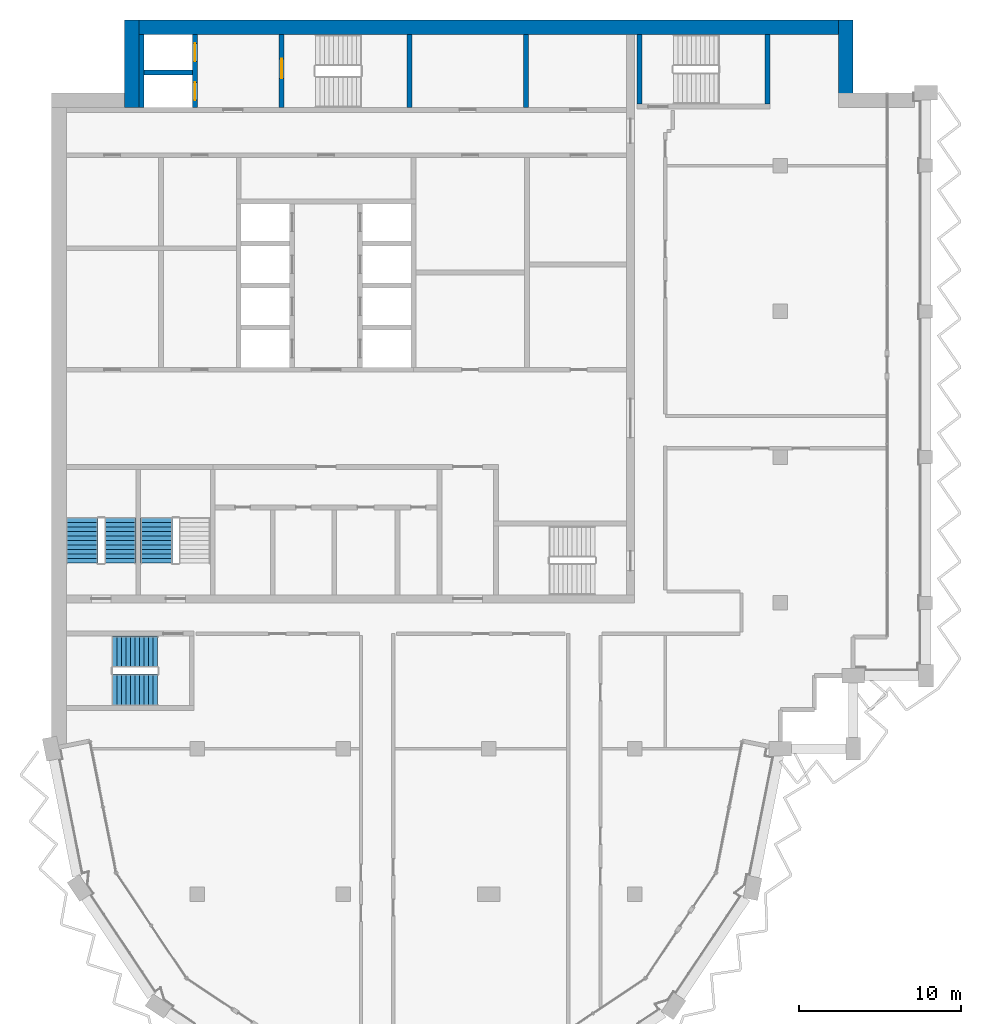
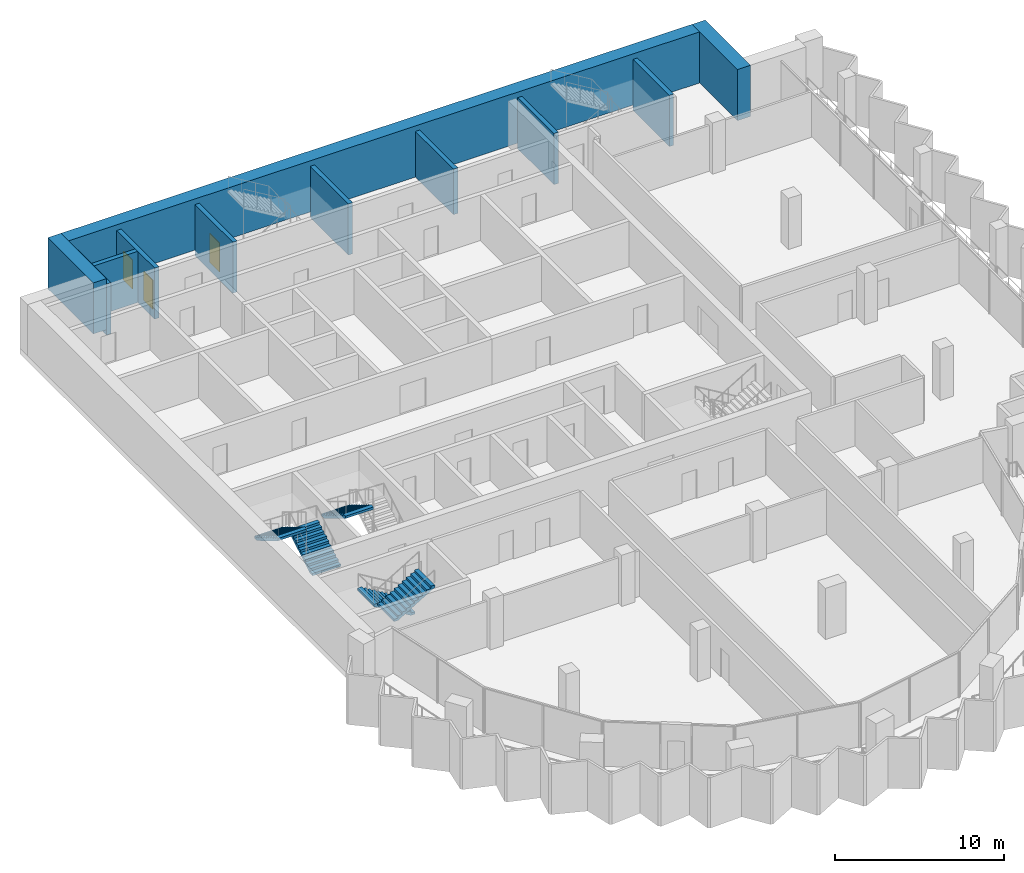
# One storey, part 10 of 14: 11 walls, 5 stair flights, 3 doors, 3 openings, 3 elements without a shape of their own.
"""IFC4 building model written with IfcOpenShell, lengths in metres."""

from ifc_helpers import new_model, si_unit, direction, frame, frame_2d, origin, place, context, subcontext, project, spatial, polyline, rectangle, outline, extrude, material, layer, layer_set, type_object, element, fill, aggregate, save


model = new_model("IFC4")

# Units and contexts
model_context = context("Model", 3, precision=1e-05, world=origin(), true_north=direction((0.0, 1.0)))
body_context = subcontext(model_context, "Body", "Model", "MODEL_VIEW")
ifc_project = project(units=[si_unit("LENGTHUNIT", "METRE"), si_unit("AREAUNIT", "SQUARE_METRE"), si_unit("VOLUMEUNIT", "CUBIC_METRE"), si_unit("PLANEANGLEUNIT", "RADIAN"), si_unit("MASSUNIT", "GRAM", prefix="KILO")], contexts=[model_context])

# Site, building, storey
site_placement = place(None, origin())
site = spatial("IfcSite", under=ifc_project, at=site_placement, CompositionType="ELEMENT")
building_placement = place(site_placement, origin())
building = spatial("IfcBuilding", under=site, at=building_placement, Name="Hunhe Ridgeline Campus", CompositionType="ELEMENT")
storey_placement = place(building_placement, frame((0.0, 0.0, 291.89990234375)))
storey = spatial("IfcBuildingStorey", under=building, at=storey_placement, Name="L75", CompositionType="ELEMENT", Elevation=291.89990234375)

# Walls
ifc_material_1 = material(Name="Masonry concrete blockwork", Category="masonry")
ifc_layer_1 = layer(ifc_material_1, 0.300048828125)
ifc_layer_set_1 = layer_set([ifc_layer_1], Name="Core room partition 300 concrete block")
wall_type_1 = type_object("IfcWallType", Name="Core room partition 300 concrete block", PredefinedType="PARTITIONING", material=ifc_layer_set_1)
wall_1_placement = place(storey_placement, frame((29.300048828125, 93.60009765625, 0.0), z_axis=(0.0, 0.0, 1.0), x_axis=(0.0, 1.0, 0.0)))
element("IfcWall", 1, at=wall_1_placement, inside=storey, type_object=wall_type_1, Name="L75 core partition 44", PredefinedType="PARTITIONING", context=body_context, shape_type="SweptSolid", body=[
    extrude(rectangle(XDim=4.5, YDim=0.300048828125, at=frame_2d((2.25, 0.0))), origin(), (0.0, 0.0, 1.0), 3.300048828125),
])
ifc_material_2 = material(Name="Concrete C50", Category="concrete")
ifc_layer_2 = layer(ifc_material_2, 0.300048828125)
ifc_layer_set_2 = layer_set([ifc_layer_2], Name="Shaft wall 300 reinforced concrete C50")
wall_type_2 = type_object("IfcWallType", Name="Shaft wall 300 reinforced concrete C50", PredefinedType="SOLIDWALL", material=ifc_layer_set_2)
wall_2_placement = place(storey_placement, frame((5.699951171875, 95.75, -0.39990234375), z_axis=(0.0, 0.0, 1.0), x_axis=(1.0, 0.0, 0.0)))
element("IfcWall", 2, at=wall_2_placement, inside=storey, type_object=wall_type_2, Name="L75 core wall 23", PredefinedType="SOLIDWALL", context=body_context, shape_type="SweptSolid", body=[
    extrude(rectangle(XDim=3.0, YDim=0.300048828125, at=frame_2d((1.5, 0.0))), origin(), (0.0, 0.0, 1.0), 3.699951171875),
])
wall_3_placement = place(storey_placement, frame((5.550048828125, 93.60009765625, -0.39990234375), z_axis=(0.0, 0.0, 1.0), x_axis=(0.0, 1.0, 0.0)))
element("IfcWall", 3, at=wall_3_placement, inside=storey, type_object=wall_type_2, Name="L75 core wall 25", PredefinedType="SOLIDWALL", context=body_context, shape_type="SweptSolid", body=[
    extrude(rectangle(XDim=4.5, YDim=0.300048828125, at=frame_2d((2.25, 0.0))), origin(), (0.0, 0.0, 1.0), 3.699951171875),
])

# Wall, openings, doors
wall_4_placement = place(storey_placement, frame((8.85009765625, 93.60009765625, -0.39990234375), z_axis=(0.0, 0.0, 1.0), x_axis=(0.0, 1.0, 0.0)))
wall_4 = element("IfcWall", 4, at=wall_4_placement, inside=storey, type_object=wall_type_2, Name="L75 core wall 28", PredefinedType="SOLIDWALL", context=body_context, shape_type="SweptSolid", body=[
    extrude(rectangle(XDim=4.5, YDim=0.300048828125, at=frame_2d((2.25, 0.0))), origin(), (0.0, 0.0, 1.0), 3.699951171875),
])
opening_1_placement = place(wall_4_placement, frame((0.449951171875, 0.0, 0.39990234375)))
opening_1 = element("IfcOpeningElement", 5, at=opening_1_placement, cuts=wall_4, Name="Opening LD-FF1", PredefinedType="OPENING", context=body_context, shape_type="SweptSolid", body=[
    extrude(rectangle(XDim=1.10009765625, YDim=2.10009765625, at=frame_2d((0.550048828125, 1.050048828125))), frame((0.0, 0.14990234375, 0.0), z_axis=(0.0, -1.0, 0.0), x_axis=(1.0, 0.0, 0.0)), (0.0, 0.0, 1.0), 0.300048828125),
])
opening_2_placement = place(wall_4_placement, frame((2.85009765625, 0.0, 0.39990234375)))
opening_2 = element("IfcOpeningElement", 6, at=opening_2_placement, cuts=wall_4, Name="Opening LD-FF2", PredefinedType="OPENING", context=body_context, shape_type="SweptSolid", body=[
    extrude(rectangle(XDim=1.10009765625, YDim=2.10009765625, at=frame_2d((0.550048828125, 1.050048828125))), frame((0.0, 0.14990234375, 0.0), z_axis=(0.0, -1.0, 0.0), x_axis=(1.0, 0.0, 0.0)), (0.0, 0.0, 1.0), 0.300048828125),
])
ifc_material_3 = material(Name="Stainless steel sliding leaves", Category="steel")
door_type_1 = type_object("IfcDoorType", Name="Landing door 1100x2100 FD120", OperationType="SLIDING_TO_LEFT", PredefinedType="DOOR", material=ifc_material_3)
door_1_placement = place(opening_1_placement, origin())
door_1 = element("IfcDoor", 7, at=door_1_placement, inside=storey, type_object=door_type_1, Name="L75 landing door FF1", OperationType="SLIDING_TO_RIGHT", OverallHeight=2.10009765625, OverallWidth=1.10009765625, PredefinedType="DOOR", context=body_context, shape_type="SweptSolid", body=[
    extrude(rectangle(XDim=1.10009765625, YDim=2.10009765625, at=frame_2d((0.550048828125, 1.050048828125))), frame((0.0, 0.02490234375, 0.0), z_axis=(0.0, -1.0, 0.0), x_axis=(1.0, 0.0, 0.0)), (0.0, 0.0, 1.0), 0.050048828125),
])
fill(opening_1, door_1)
door_2_placement = place(opening_2_placement, origin())
door_2 = element("IfcDoor", 8, at=door_2_placement, inside=storey, type_object=door_type_1, Name="L75 landing door FF2", OperationType="SLIDING_TO_LEFT", OverallHeight=2.10009765625, OverallWidth=1.10009765625, PredefinedType="DOOR", context=body_context, shape_type="SweptSolid", body=[
    extrude(rectangle(XDim=1.10009765625, YDim=2.10009765625, at=frame_2d((0.550048828125, 1.050048828125))), frame((0.0, 0.02490234375, 0.0), z_axis=(0.0, -1.0, 0.0), x_axis=(1.0, 0.0, 0.0)), (0.0, 0.0, 1.0), 0.050048828125),
])
fill(opening_2, door_2)

# Walls
ifc_layer_3 = layer(ifc_material_2, 0.89990234375)
ifc_layer_set_3 = layer_set([ifc_layer_3], Name="Spine wall 900 Concrete C50")
wall_type_3 = type_object("IfcWallType", Name="Spine wall 900 Concrete C50", PredefinedType="SHEAR", material=ifc_layer_set_3)
wall_5_placement = place(storey_placement, frame((49.050048828125, 93.60009765625, 0.0), z_axis=(0.0, 0.0, 1.0), x_axis=(0.0, 1.0, 0.0)))
element("IfcWall", 9, at=wall_5_placement, inside=storey, type_object=wall_type_3, Name="Spine wall SW4-3 L75", PredefinedType="SHEAR", context=body_context, shape_type="SweptSolid", body=[
    extrude(rectangle(XDim=5.39990234375, YDim=0.89990234375, at=frame_2d((2.699951171875, 0.0))), origin(), (0.0, 0.0, 1.0), 3.7001953125),
])
wall_6_placement = place(storey_placement, frame((49.5, 98.550048828125, 0.0), z_axis=(0.0, 0.0, 1.0), x_axis=(-1.0, 0.0, 0.0)))
element("IfcWall", 10, at=wall_6_placement, inside=storey, type_object=wall_type_3, Name="Spine wall SW4-4 L75", PredefinedType="SHEAR", context=body_context, shape_type="SweptSolid", body=[
    extrude(rectangle(XDim=45.0, YDim=0.89990234375, at=frame_2d((22.5, 0.0))), origin(), (0.0, 0.0, 1.0), 3.7001953125),
])
wall_7_placement = place(storey_placement, frame((4.949951171875, 99.0, 0.0), z_axis=(0.0, 0.0, 1.0), x_axis=(0.0, -1.0, 0.0)))
element("IfcWall", 11, at=wall_7_placement, inside=storey, type_object=wall_type_3, Name="Spine wall SW4-5 L75", PredefinedType="SHEAR", context=body_context, shape_type="SweptSolid", body=[
    extrude(rectangle(XDim=5.400146484375, YDim=0.89990234375, at=frame_2d((2.7001953125, 0.0))), origin(), (0.0, 0.0, 1.0), 3.7001953125),
])

# Wall, opening, door
ifc_layer_4 = layer(ifc_material_2, 0.300048828125)
ifc_layer_set_4 = layer_set([ifc_layer_4], Name="Stair wall 300 reinforced concrete C50")
wall_type_4 = type_object("IfcWallType", Name="Stair wall 300 reinforced concrete C50", PredefinedType="SOLIDWALL", material=ifc_layer_set_4)
wall_8_placement = place(storey_placement, frame((14.199951171875, 93.60009765625, -0.39990234375), z_axis=(0.0, 0.0, 1.0), x_axis=(0.0, 1.0, 0.0)))
wall_8 = element("IfcWall", 12, at=wall_8_placement, inside=storey, type_object=wall_type_4, Name="L75 core wall 33", PredefinedType="SOLIDWALL", context=body_context, shape_type="SweptSolid", body=[
    extrude(rectangle(XDim=4.5, YDim=0.300048828125, at=frame_2d((2.25, 0.0))), origin(), (0.0, 0.0, 1.0), 3.699951171875),
])
opening_3_placement = place(wall_8_placement, frame((1.800048828125, 0.0, 0.39990234375)))
opening_3 = element("IfcOpeningElement", 13, at=opening_3_placement, cuts=wall_8, Name="Opening CD16", PredefinedType="OPENING", context=body_context, shape_type="SweptSolid", body=[
    extrude(rectangle(XDim=1.199951171875, YDim=2.10009765625, at=frame_2d((0.60009765625, 1.050048828125))), frame((0.0, 0.14990234375, 0.0), z_axis=(0.0, -1.0, 0.0), x_axis=(1.0, 0.0, 0.0)), (0.0, 0.0, 1.0), 0.300048828125),
])
ifc_material_4 = material(Name="Hollow metal fire door leaf")
door_type_2 = type_object("IfcDoorType", Name="Stair door 1200x2100 FD60", OperationType="SINGLE_SWING_LEFT", PredefinedType="DOOR", material=ifc_material_4)
door_3_placement = place(opening_3_placement, origin())
door_3 = element("IfcDoor", 14, at=door_3_placement, inside=storey, type_object=door_type_2, Name="L75 door S1-FF", OperationType="SINGLE_SWING_RIGHT", OverallHeight=2.10009765625, OverallWidth=1.199951171875, PredefinedType="DOOR", context=body_context, shape_type="SweptSolid", body=[
    extrude(rectangle(XDim=1.199951171875, YDim=2.10009765625, at=frame_2d((0.60009765625, 1.050048828125))), frame((0.0, 0.02490234375, 0.0), z_axis=(0.0, -1.0, 0.0), x_axis=(1.0, 0.0, 0.0)), (0.0, 0.0, 1.0), 0.050048828125),
])
fill(opening_3, door_3)

# Walls
wall_9_placement = place(storey_placement, frame((22.10009765625, 93.60009765625, -0.39990234375), z_axis=(0.0, 0.0, 1.0), x_axis=(0.0, 1.0, 0.0)))
element("IfcWall", 15, at=wall_9_placement, inside=storey, type_object=wall_type_4, Name="L75 core wall 38", PredefinedType="SOLIDWALL", context=body_context, shape_type="SweptSolid", body=[
    extrude(rectangle(XDim=4.5, YDim=0.300048828125, at=frame_2d((2.25, 0.0))), origin(), (0.0, 0.0, 1.0), 3.699951171875),
])
for number, where, z_axis, x_axis, name in (
    (16, (36.300048828125, 93.800048828125, -0.39990234375), (0.0, 0.0, 1.0), (0.0, 1.0, 0.0), "L75 core wall 47"),
    (17, (44.199951171875, 93.800048828125, -0.39990234375), (0.0, 0.0, 1.0), (0.0, 1.0, 0.0), "L75 core wall 48"),
):
    element("IfcWall", number, at=place(storey_placement, frame(where, z_axis=z_axis, x_axis=x_axis)), inside=storey, type_object=wall_type_4, Name=name, PredefinedType="SOLIDWALL", context=body_context, shape_type="SweptSolid", body=[
        extrude(rectangle(XDim=4.300048828125, YDim=0.300048828125, at=frame_2d((2.14990234375, 0.0))), origin(), (0.0, 0.0, 1.0), 3.699951171875),
    ])

# Stair, stair flights
ifc_material_5 = material(Name="Concrete C40", Category="concrete")
stair_type = type_object("IfcStairType", Name="Reinforced concrete dog-leg stair 1950 Concrete C40", PredefinedType="HALF_TURN_STAIR", material=ifc_material_5)
stair_1_placement = place(storey_placement, origin())
stair_1 = element("IfcStair", 18, at=stair_1_placement, inside=storey, type_object=stair_type, Name="L75 S3", PredefinedType="HALF_TURN_STAIR")
stair_flight_type = type_object("IfcStairFlightType", Name="Reinforced concrete stair flight 1950 Concrete C40", PredefinedType="STRAIGHT", material=ifc_material_5)
stair_flight_1_placement = place(storey_placement, frame((4.22509765625, 65.449951171875, 0.0), z_axis=(0.0, 0.0, 1.0), x_axis=(0.0, 1.0, 0.0)))
stair_flight_1 = element("IfcStairFlight", 19, at=stair_flight_1_placement, type_object=stair_flight_type, Name="ST3 flight 1", NumberOfRisers=11, NumberOfTreads=10, PredefinedType="STRAIGHT", RiserHeight=0.168181818, TreadLength=0.28, context=body_context, shape_type="SweptSolid", body=[
    extrude(outline(polyline([(0.0, 0.0), (0.0, 0.168212890625), (0.280029296875, 0.168212890625), (0.280029296875, 0.33642578125), (0.56005859375, 0.33642578125), (0.56005859375, 0.504638671875), (0.840087890625, 0.504638671875), (0.840087890625, 0.672607421875), (1.1201171875, 0.672607421875), (1.1201171875, 0.8408203125), (1.39990234375, 0.8408203125), (1.39990234375, 1.009033203125), (1.679931640625, 1.009033203125), (1.679931640625, 1.17724609375), (1.9599609375, 1.17724609375), (1.9599609375, 1.345458984375), (2.239990234375, 1.345458984375), (2.239990234375, 1.513671875), (2.52001953125, 1.513671875), (2.52001953125, 1.681884765625), (2.800048828125, 1.681884765625), (2.800048828125, 1.85009765625), (2.800048828125, 1.5068359375), (0.291015625, 0.0), (0.0, 0.0)])), frame((0.0, 0.97509765625, 0.0), z_axis=(0.0, -1.0, 0.0), x_axis=(1.0, 0.0, 0.0)), (0.0, 0.0, 1.0), 1.949951171875),
    extrude(outline(polyline([(0.030029296875, 0.030029296875), (0.030029296875, 0.13818359375), (0.31005859375, 0.13818359375), (0.31005859375, 0.306396484375), (0.590087890625, 0.306396484375), (0.590087890625, 0.474609375), (0.8701171875, 0.474609375), (0.8701171875, 0.642578125), (1.14990234375, 0.642578125), (1.14990234375, 0.810791015625), (1.429931640625, 0.810791015625), (1.429931640625, 0.97900390625), (1.7099609375, 0.97900390625), (1.7099609375, 1.147216796875), (1.989990234375, 1.147216796875), (1.989990234375, 1.3154296875), (2.27001953125, 1.3154296875), (2.27001953125, 1.483642578125), (2.550048828125, 1.483642578125), (2.550048828125, 1.65185546875), (2.77001953125, 1.65185546875), (2.77001953125, 1.52392578125), (0.28271484375, 0.030029296875), (0.030029296875, 0.030029296875)])), frame((0.0, -0.070068359375, 0.0), z_axis=(0.0, -1.0, 0.0), x_axis=(1.0, 0.0, 0.0)), (0.0, 0.0, 1.0), 0.019775390625),
    extrude(outline(polyline([(0.030029296875, 0.030029296875), (0.030029296875, 0.13818359375), (0.31005859375, 0.13818359375), (0.31005859375, 0.306396484375), (0.590087890625, 0.306396484375), (0.590087890625, 0.474609375), (0.8701171875, 0.474609375), (0.8701171875, 0.642578125), (1.14990234375, 0.642578125), (1.14990234375, 0.810791015625), (1.429931640625, 0.810791015625), (1.429931640625, 0.97900390625), (1.7099609375, 0.97900390625), (1.7099609375, 1.147216796875), (1.989990234375, 1.147216796875), (1.989990234375, 1.3154296875), (2.27001953125, 1.3154296875), (2.27001953125, 1.483642578125), (2.550048828125, 1.483642578125), (2.550048828125, 1.65185546875), (2.77001953125, 1.65185546875), (2.77001953125, 1.52392578125), (0.28271484375, 0.030029296875), (0.030029296875, 0.030029296875)])), frame((0.0, 0.010009765625, 0.0), z_axis=(0.0, -1.0, 0.0), x_axis=(1.0, 0.0, 0.0)), (0.0, 0.0, 1.0), 0.019775390625),
    extrude(outline(polyline([(0.030029296875, 0.030029296875), (0.030029296875, 0.13818359375), (0.31005859375, 0.13818359375), (0.31005859375, 0.306396484375), (0.590087890625, 0.306396484375), (0.590087890625, 0.474609375), (0.8701171875, 0.474609375), (0.8701171875, 0.642578125), (1.14990234375, 0.642578125), (1.14990234375, 0.810791015625), (1.429931640625, 0.810791015625), (1.429931640625, 0.97900390625), (1.7099609375, 0.97900390625), (1.7099609375, 1.147216796875), (1.989990234375, 1.147216796875), (1.989990234375, 1.3154296875), (2.27001953125, 1.3154296875), (2.27001953125, 1.483642578125), (2.550048828125, 1.483642578125), (2.550048828125, 1.65185546875), (2.77001953125, 1.65185546875), (2.77001953125, 1.52392578125), (0.28271484375, 0.030029296875), (0.030029296875, 0.030029296875)])), frame((0.0, 0.090087890625, 0.0), z_axis=(0.0, -1.0, 0.0), x_axis=(1.0, 0.0, 0.0)), (0.0, 0.0, 1.0), 0.019775390625),
])
stair_flight_2_placement = place(storey_placement, frame((1.875, 68.25, 1.85009765625), z_axis=(0.0, 0.0, 1.0), x_axis=(0.0, -1.0, 0.0)))
stair_flight_2 = element("IfcStairFlight", 20, at=stair_flight_2_placement, type_object=stair_flight_type, Name="ST3 flight 2", NumberOfRisers=11, NumberOfTreads=10, PredefinedType="STRAIGHT", RiserHeight=0.168181818, TreadLength=0.28, context=body_context, shape_type="SweptSolid", body=[
    extrude(outline(polyline([(0.0, 0.0), (0.0, 0.168212890625), (0.280029296875, 0.168212890625), (0.280029296875, 0.33642578125), (0.56005859375, 0.33642578125), (0.56005859375, 0.504638671875), (0.840087890625, 0.504638671875), (0.840087890625, 0.672607421875), (1.1201171875, 0.672607421875), (1.1201171875, 0.8408203125), (1.39990234375, 0.8408203125), (1.39990234375, 1.009033203125), (1.679931640625, 1.009033203125), (1.679931640625, 1.17724609375), (1.9599609375, 1.17724609375), (1.9599609375, 1.345458984375), (2.239990234375, 1.345458984375), (2.239990234375, 1.513671875), (2.52001953125, 1.513671875), (2.52001953125, 1.681884765625), (2.800048828125, 1.681884765625), (2.800048828125, 1.85009765625), (2.800048828125, 1.5068359375), (0.291015625, 0.0), (0.0, 0.0)])), frame((0.0, 0.97509765625, 0.0), z_axis=(0.0, -1.0, 0.0), x_axis=(1.0, 0.0, 0.0)), (0.0, 0.0, 1.0), 1.949951171875),
    extrude(outline(polyline([(0.030029296875, 0.030029296875), (0.030029296875, 0.13818359375), (0.31005859375, 0.13818359375), (0.31005859375, 0.306396484375), (0.590087890625, 0.306396484375), (0.590087890625, 0.474609375), (0.8701171875, 0.474609375), (0.8701171875, 0.642578125), (1.14990234375, 0.642578125), (1.14990234375, 0.810791015625), (1.429931640625, 0.810791015625), (1.429931640625, 0.97900390625), (1.7099609375, 0.97900390625), (1.7099609375, 1.147216796875), (1.989990234375, 1.147216796875), (1.989990234375, 1.3154296875), (2.27001953125, 1.3154296875), (2.27001953125, 1.483642578125), (2.550048828125, 1.483642578125), (2.550048828125, 1.65185546875), (2.77001953125, 1.65185546875), (2.77001953125, 1.52392578125), (0.28271484375, 0.030029296875), (0.030029296875, 0.030029296875)])), frame((0.0, -0.070068359375, 0.0), z_axis=(0.0, -1.0, 0.0), x_axis=(1.0, 0.0, 0.0)), (0.0, 0.0, 1.0), 0.019775390625),
    extrude(outline(polyline([(0.030029296875, 0.030029296875), (0.030029296875, 0.13818359375), (0.31005859375, 0.13818359375), (0.31005859375, 0.306396484375), (0.590087890625, 0.306396484375), (0.590087890625, 0.474609375), (0.8701171875, 0.474609375), (0.8701171875, 0.642578125), (1.14990234375, 0.642578125), (1.14990234375, 0.810791015625), (1.429931640625, 0.810791015625), (1.429931640625, 0.97900390625), (1.7099609375, 0.97900390625), (1.7099609375, 1.147216796875), (1.989990234375, 1.147216796875), (1.989990234375, 1.3154296875), (2.27001953125, 1.3154296875), (2.27001953125, 1.483642578125), (2.550048828125, 1.483642578125), (2.550048828125, 1.65185546875), (2.77001953125, 1.65185546875), (2.77001953125, 1.52392578125), (0.28271484375, 0.030029296875), (0.030029296875, 0.030029296875)])), frame((0.0, 0.010009765625, 0.0), z_axis=(0.0, -1.0, 0.0), x_axis=(1.0, 0.0, 0.0)), (0.0, 0.0, 1.0), 0.019775390625),
    extrude(outline(polyline([(0.030029296875, 0.030029296875), (0.030029296875, 0.13818359375), (0.31005859375, 0.13818359375), (0.31005859375, 0.306396484375), (0.590087890625, 0.306396484375), (0.590087890625, 0.474609375), (0.8701171875, 0.474609375), (0.8701171875, 0.642578125), (1.14990234375, 0.642578125), (1.14990234375, 0.810791015625), (1.429931640625, 0.810791015625), (1.429931640625, 0.97900390625), (1.7099609375, 0.97900390625), (1.7099609375, 1.147216796875), (1.989990234375, 1.147216796875), (1.989990234375, 1.3154296875), (2.27001953125, 1.3154296875), (2.27001953125, 1.483642578125), (2.550048828125, 1.483642578125), (2.550048828125, 1.65185546875), (2.77001953125, 1.65185546875), (2.77001953125, 1.52392578125), (0.28271484375, 0.030029296875), (0.030029296875, 0.030029296875)])), frame((0.0, 0.090087890625, 0.0), z_axis=(0.0, -1.0, 0.0), x_axis=(1.0, 0.0, 0.0)), (0.0, 0.0, 1.0), 0.019775390625),
])
aggregate(stair_1, [stair_flight_1, stair_flight_2])

# Stair, stair flight
stair_2_placement = place(storey_placement, origin())
stair_2 = element("IfcStair", 21, at=stair_2_placement, inside=storey, type_object=stair_type, Name="L75 S4", PredefinedType="HALF_TURN_STAIR")
stair_flight_3_placement = place(storey_placement, frame((6.47509765625, 68.25, 1.85009765625), z_axis=(0.0, 0.0, 1.0), x_axis=(0.0, -1.0, 0.0)))
stair_flight_3 = element("IfcStairFlight", 22, at=stair_flight_3_placement, type_object=stair_flight_type, Name="ST4 flight 2", NumberOfRisers=11, NumberOfTreads=10, PredefinedType="STRAIGHT", RiserHeight=0.168181818, TreadLength=0.28, context=body_context, shape_type="SweptSolid", body=[
    extrude(outline(polyline([(0.0, 0.0), (0.0, 0.168212890625), (0.280029296875, 0.168212890625), (0.280029296875, 0.33642578125), (0.56005859375, 0.33642578125), (0.56005859375, 0.504638671875), (0.840087890625, 0.504638671875), (0.840087890625, 0.672607421875), (1.1201171875, 0.672607421875), (1.1201171875, 0.8408203125), (1.39990234375, 0.8408203125), (1.39990234375, 1.009033203125), (1.679931640625, 1.009033203125), (1.679931640625, 1.17724609375), (1.9599609375, 1.17724609375), (1.9599609375, 1.345458984375), (2.239990234375, 1.345458984375), (2.239990234375, 1.513671875), (2.52001953125, 1.513671875), (2.52001953125, 1.681884765625), (2.800048828125, 1.681884765625), (2.800048828125, 1.85009765625), (2.800048828125, 1.5068359375), (0.291015625, 0.0), (0.0, 0.0)])), frame((0.0, 0.97509765625, 0.0), z_axis=(0.0, -1.0, 0.0), x_axis=(1.0, 0.0, 0.0)), (0.0, 0.0, 1.0), 1.949951171875),
    extrude(outline(polyline([(0.030029296875, 0.030029296875), (0.030029296875, 0.13818359375), (0.31005859375, 0.13818359375), (0.31005859375, 0.306396484375), (0.590087890625, 0.306396484375), (0.590087890625, 0.474609375), (0.8701171875, 0.474609375), (0.8701171875, 0.642578125), (1.14990234375, 0.642578125), (1.14990234375, 0.810791015625), (1.429931640625, 0.810791015625), (1.429931640625, 0.97900390625), (1.7099609375, 0.97900390625), (1.7099609375, 1.147216796875), (1.989990234375, 1.147216796875), (1.989990234375, 1.3154296875), (2.27001953125, 1.3154296875), (2.27001953125, 1.483642578125), (2.550048828125, 1.483642578125), (2.550048828125, 1.65185546875), (2.77001953125, 1.65185546875), (2.77001953125, 1.52392578125), (0.28271484375, 0.030029296875), (0.030029296875, 0.030029296875)])), frame((0.0, -0.070068359375, 0.0), z_axis=(0.0, -1.0, 0.0), x_axis=(1.0, 0.0, 0.0)), (0.0, 0.0, 1.0), 0.019775390625),
    extrude(outline(polyline([(0.030029296875, 0.030029296875), (0.030029296875, 0.13818359375), (0.31005859375, 0.13818359375), (0.31005859375, 0.306396484375), (0.590087890625, 0.306396484375), (0.590087890625, 0.474609375), (0.8701171875, 0.474609375), (0.8701171875, 0.642578125), (1.14990234375, 0.642578125), (1.14990234375, 0.810791015625), (1.429931640625, 0.810791015625), (1.429931640625, 0.97900390625), (1.7099609375, 0.97900390625), (1.7099609375, 1.147216796875), (1.989990234375, 1.147216796875), (1.989990234375, 1.3154296875), (2.27001953125, 1.3154296875), (2.27001953125, 1.483642578125), (2.550048828125, 1.483642578125), (2.550048828125, 1.65185546875), (2.77001953125, 1.65185546875), (2.77001953125, 1.52392578125), (0.28271484375, 0.030029296875), (0.030029296875, 0.030029296875)])), frame((0.0, 0.010009765625, 0.0), z_axis=(0.0, -1.0, 0.0), x_axis=(1.0, 0.0, 0.0)), (0.0, 0.0, 1.0), 0.019775390625),
    extrude(outline(polyline([(0.030029296875, 0.030029296875), (0.030029296875, 0.13818359375), (0.31005859375, 0.13818359375), (0.31005859375, 0.306396484375), (0.590087890625, 0.306396484375), (0.590087890625, 0.474609375), (0.8701171875, 0.474609375), (0.8701171875, 0.642578125), (1.14990234375, 0.642578125), (1.14990234375, 0.810791015625), (1.429931640625, 0.810791015625), (1.429931640625, 0.97900390625), (1.7099609375, 0.97900390625), (1.7099609375, 1.147216796875), (1.989990234375, 1.147216796875), (1.989990234375, 1.3154296875), (2.27001953125, 1.3154296875), (2.27001953125, 1.483642578125), (2.550048828125, 1.483642578125), (2.550048828125, 1.65185546875), (2.77001953125, 1.65185546875), (2.77001953125, 1.52392578125), (0.28271484375, 0.030029296875), (0.030029296875, 0.030029296875)])), frame((0.0, 0.090087890625, 0.0), z_axis=(0.0, -1.0, 0.0), x_axis=(1.0, 0.0, 0.0)), (0.0, 0.0, 1.0), 0.019775390625),
])
aggregate(stair_2, [stair_flight_3])

# Stair, stair flights
stair_3_placement = place(storey_placement, origin())
stair_3 = element("IfcStair", 23, at=stair_3_placement, inside=storey, type_object=stair_type, Name="L75 W2", PredefinedType="HALF_TURN_STAIR")
stair_flight_4_placement = place(storey_placement, frame((6.550048828125, 59.97509765625, 0.0), z_axis=(0.0, 0.0, 1.0), x_axis=(-1.0, 0.0, 0.0)))
stair_flight_4 = element("IfcStairFlight", 24, at=stair_flight_4_placement, type_object=stair_flight_type, Name="ST12 flight 1", NumberOfRisers=11, NumberOfTreads=10, PredefinedType="STRAIGHT", RiserHeight=0.168181818, TreadLength=0.28, context=body_context, shape_type="SweptSolid", body=[
    extrude(outline(polyline([(0.0, 0.0), (0.0, 0.168212890625), (0.280029296875, 0.168212890625), (0.280029296875, 0.33642578125), (0.56005859375, 0.33642578125), (0.56005859375, 0.504638671875), (0.840087890625, 0.504638671875), (0.840087890625, 0.672607421875), (1.1201171875, 0.672607421875), (1.1201171875, 0.8408203125), (1.39990234375, 0.8408203125), (1.39990234375, 1.009033203125), (1.679931640625, 1.009033203125), (1.679931640625, 1.17724609375), (1.9599609375, 1.17724609375), (1.9599609375, 1.345458984375), (2.239990234375, 1.345458984375), (2.239990234375, 1.513671875), (2.52001953125, 1.513671875), (2.52001953125, 1.681884765625), (2.800048828125, 1.681884765625), (2.800048828125, 1.85009765625), (2.800048828125, 1.5068359375), (0.291015625, 0.0), (0.0, 0.0)])), frame((0.0, 0.97509765625, 0.0), z_axis=(0.0, -1.0, 0.0), x_axis=(1.0, 0.0, 0.0)), (0.0, 0.0, 1.0), 1.949951171875),
    extrude(outline(polyline([(0.030029296875, 0.030029296875), (0.030029296875, 0.13818359375), (0.31005859375, 0.13818359375), (0.31005859375, 0.306396484375), (0.590087890625, 0.306396484375), (0.590087890625, 0.474609375), (0.8701171875, 0.474609375), (0.8701171875, 0.642578125), (1.14990234375, 0.642578125), (1.14990234375, 0.810791015625), (1.429931640625, 0.810791015625), (1.429931640625, 0.97900390625), (1.7099609375, 0.97900390625), (1.7099609375, 1.147216796875), (1.989990234375, 1.147216796875), (1.989990234375, 1.3154296875), (2.27001953125, 1.3154296875), (2.27001953125, 1.483642578125), (2.550048828125, 1.483642578125), (2.550048828125, 1.65185546875), (2.77001953125, 1.65185546875), (2.77001953125, 1.52392578125), (0.28271484375, 0.030029296875), (0.030029296875, 0.030029296875)])), frame((0.0, -0.070068359375, 0.0), z_axis=(0.0, -1.0, 0.0), x_axis=(1.0, 0.0, 0.0)), (0.0, 0.0, 1.0), 0.019775390625),
    extrude(outline(polyline([(0.030029296875, 0.030029296875), (0.030029296875, 0.13818359375), (0.31005859375, 0.13818359375), (0.31005859375, 0.306396484375), (0.590087890625, 0.306396484375), (0.590087890625, 0.474609375), (0.8701171875, 0.474609375), (0.8701171875, 0.642578125), (1.14990234375, 0.642578125), (1.14990234375, 0.810791015625), (1.429931640625, 0.810791015625), (1.429931640625, 0.97900390625), (1.7099609375, 0.97900390625), (1.7099609375, 1.147216796875), (1.989990234375, 1.147216796875), (1.989990234375, 1.3154296875), (2.27001953125, 1.3154296875), (2.27001953125, 1.483642578125), (2.550048828125, 1.483642578125), (2.550048828125, 1.65185546875), (2.77001953125, 1.65185546875), (2.77001953125, 1.52392578125), (0.28271484375, 0.030029296875), (0.030029296875, 0.030029296875)])), frame((0.0, 0.010009765625, 0.0), z_axis=(0.0, -1.0, 0.0), x_axis=(1.0, 0.0, 0.0)), (0.0, 0.0, 1.0), 0.019775390625),
    extrude(outline(polyline([(0.030029296875, 0.030029296875), (0.030029296875, 0.13818359375), (0.31005859375, 0.13818359375), (0.31005859375, 0.306396484375), (0.590087890625, 0.306396484375), (0.590087890625, 0.474609375), (0.8701171875, 0.474609375), (0.8701171875, 0.642578125), (1.14990234375, 0.642578125), (1.14990234375, 0.810791015625), (1.429931640625, 0.810791015625), (1.429931640625, 0.97900390625), (1.7099609375, 0.97900390625), (1.7099609375, 1.147216796875), (1.989990234375, 1.147216796875), (1.989990234375, 1.3154296875), (2.27001953125, 1.3154296875), (2.27001953125, 1.483642578125), (2.550048828125, 1.483642578125), (2.550048828125, 1.65185546875), (2.77001953125, 1.65185546875), (2.77001953125, 1.52392578125), (0.28271484375, 0.030029296875), (0.030029296875, 0.030029296875)])), frame((0.0, 0.090087890625, 0.0), z_axis=(0.0, -1.0, 0.0), x_axis=(1.0, 0.0, 0.0)), (0.0, 0.0, 1.0), 0.019775390625),
])
stair_flight_5_placement = place(storey_placement, frame((3.75, 57.625, 1.85009765625), z_axis=(0.0, 0.0, 1.0), x_axis=(1.0, 0.0, 0.0)))
stair_flight_5 = element("IfcStairFlight", 25, at=stair_flight_5_placement, type_object=stair_flight_type, Name="ST12 flight 2", NumberOfRisers=11, NumberOfTreads=10, PredefinedType="STRAIGHT", RiserHeight=0.168181818, TreadLength=0.28, context=body_context, shape_type="SweptSolid", body=[
    extrude(outline(polyline([(0.0, 0.0), (0.0, 0.168212890625), (0.280029296875, 0.168212890625), (0.280029296875, 0.33642578125), (0.56005859375, 0.33642578125), (0.56005859375, 0.504638671875), (0.840087890625, 0.504638671875), (0.840087890625, 0.672607421875), (1.1201171875, 0.672607421875), (1.1201171875, 0.8408203125), (1.39990234375, 0.8408203125), (1.39990234375, 1.009033203125), (1.679931640625, 1.009033203125), (1.679931640625, 1.17724609375), (1.9599609375, 1.17724609375), (1.9599609375, 1.345458984375), (2.239990234375, 1.345458984375), (2.239990234375, 1.513671875), (2.52001953125, 1.513671875), (2.52001953125, 1.681884765625), (2.800048828125, 1.681884765625), (2.800048828125, 1.85009765625), (2.800048828125, 1.5068359375), (0.291015625, 0.0), (0.0, 0.0)])), frame((0.0, 0.97509765625, 0.0), z_axis=(0.0, -1.0, 0.0), x_axis=(1.0, 0.0, 0.0)), (0.0, 0.0, 1.0), 1.949951171875),
    extrude(outline(polyline([(0.030029296875, 0.030029296875), (0.030029296875, 0.13818359375), (0.31005859375, 0.13818359375), (0.31005859375, 0.306396484375), (0.590087890625, 0.306396484375), (0.590087890625, 0.474609375), (0.8701171875, 0.474609375), (0.8701171875, 0.642578125), (1.14990234375, 0.642578125), (1.14990234375, 0.810791015625), (1.429931640625, 0.810791015625), (1.429931640625, 0.97900390625), (1.7099609375, 0.97900390625), (1.7099609375, 1.147216796875), (1.989990234375, 1.147216796875), (1.989990234375, 1.3154296875), (2.27001953125, 1.3154296875), (2.27001953125, 1.483642578125), (2.550048828125, 1.483642578125), (2.550048828125, 1.65185546875), (2.77001953125, 1.65185546875), (2.77001953125, 1.52392578125), (0.28271484375, 0.030029296875), (0.030029296875, 0.030029296875)])), frame((0.0, -0.070068359375, 0.0), z_axis=(0.0, -1.0, 0.0), x_axis=(1.0, 0.0, 0.0)), (0.0, 0.0, 1.0), 0.019775390625),
    extrude(outline(polyline([(0.030029296875, 0.030029296875), (0.030029296875, 0.13818359375), (0.31005859375, 0.13818359375), (0.31005859375, 0.306396484375), (0.590087890625, 0.306396484375), (0.590087890625, 0.474609375), (0.8701171875, 0.474609375), (0.8701171875, 0.642578125), (1.14990234375, 0.642578125), (1.14990234375, 0.810791015625), (1.429931640625, 0.810791015625), (1.429931640625, 0.97900390625), (1.7099609375, 0.97900390625), (1.7099609375, 1.147216796875), (1.989990234375, 1.147216796875), (1.989990234375, 1.3154296875), (2.27001953125, 1.3154296875), (2.27001953125, 1.483642578125), (2.550048828125, 1.483642578125), (2.550048828125, 1.65185546875), (2.77001953125, 1.65185546875), (2.77001953125, 1.52392578125), (0.28271484375, 0.030029296875), (0.030029296875, 0.030029296875)])), frame((0.0, 0.010009765625, 0.0), z_axis=(0.0, -1.0, 0.0), x_axis=(1.0, 0.0, 0.0)), (0.0, 0.0, 1.0), 0.019775390625),
    extrude(outline(polyline([(0.030029296875, 0.030029296875), (0.030029296875, 0.13818359375), (0.31005859375, 0.13818359375), (0.31005859375, 0.306396484375), (0.590087890625, 0.306396484375), (0.590087890625, 0.474609375), (0.8701171875, 0.474609375), (0.8701171875, 0.642578125), (1.14990234375, 0.642578125), (1.14990234375, 0.810791015625), (1.429931640625, 0.810791015625), (1.429931640625, 0.97900390625), (1.7099609375, 0.97900390625), (1.7099609375, 1.147216796875), (1.989990234375, 1.147216796875), (1.989990234375, 1.3154296875), (2.27001953125, 1.3154296875), (2.27001953125, 1.483642578125), (2.550048828125, 1.483642578125), (2.550048828125, 1.65185546875), (2.77001953125, 1.65185546875), (2.77001953125, 1.52392578125), (0.28271484375, 0.030029296875), (0.030029296875, 0.030029296875)])), frame((0.0, 0.090087890625, 0.0), z_axis=(0.0, -1.0, 0.0), x_axis=(1.0, 0.0, 0.0)), (0.0, 0.0, 1.0), 0.019775390625),
])
aggregate(stair_3, [stair_flight_4, stair_flight_5])

save(model, "model.ifc")
